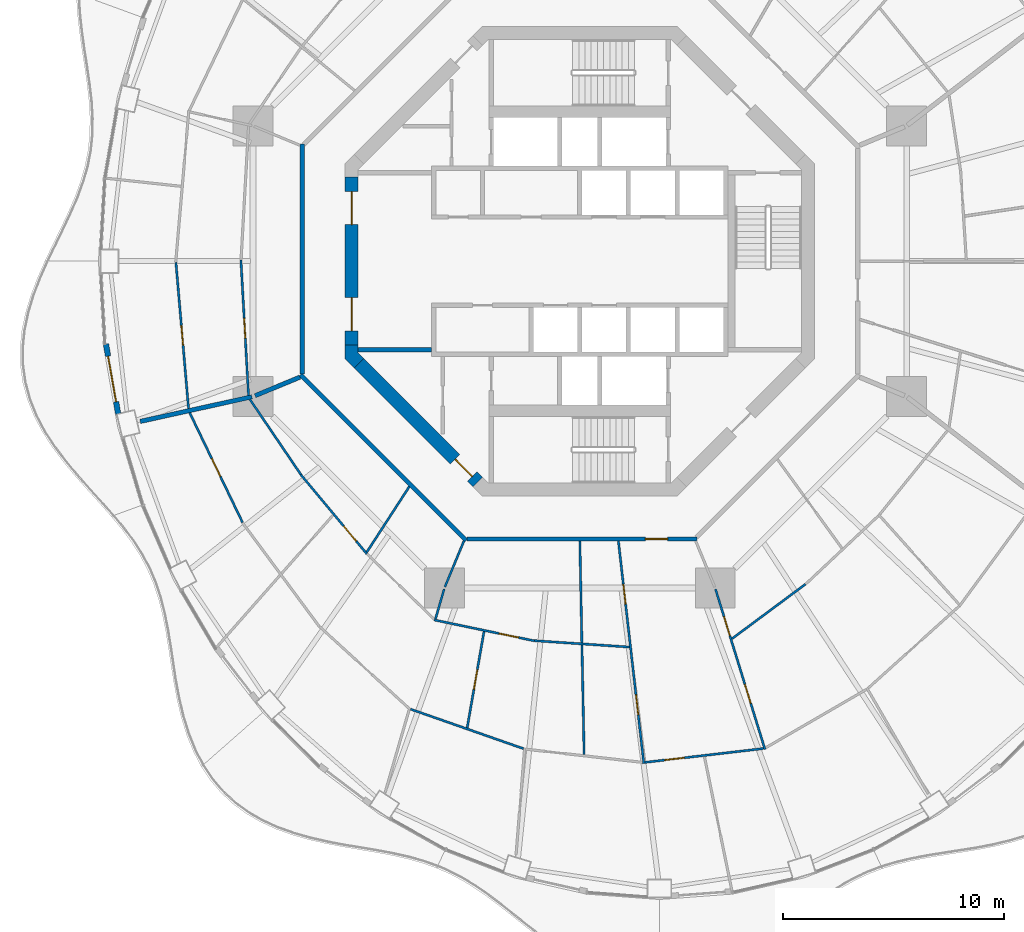
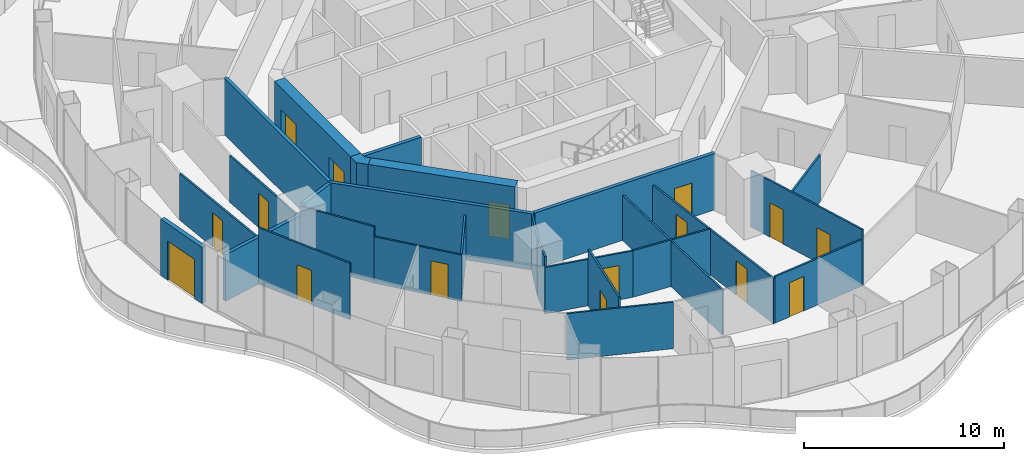
# One storey, part 11 of 19: 27 walls, 16 doors, 16 openings.
"""IFC4 building model written with IfcOpenShell, lengths in metres."""

from ifc_helpers import new_model, si_unit, direction, frame, frame_2d, origin, place, context, subcontext, project, spatial, polyline, rectangle, outline, extrude, material, layer, layer_set, type_object, element, fill, save


model = new_model("IFC4")

# Units and contexts
model_context = context("Model", 3, precision=1e-05, world=origin(), true_north=direction((0.0, 1.0)))
body_context = subcontext(model_context, "Body", "Model", "MODEL_VIEW")
ifc_project = project(units=[si_unit("LENGTHUNIT", "METRE"), si_unit("AREAUNIT", "SQUARE_METRE"), si_unit("VOLUMEUNIT", "CUBIC_METRE"), si_unit("PLANEANGLEUNIT", "RADIAN"), si_unit("MASSUNIT", "GRAM", prefix="KILO")], contexts=[model_context])

# Site, building, storey
site_placement = place(None, origin())
site = spatial("IfcSite", under=ifc_project, at=site_placement, CompositionType="ELEMENT")
building_placement = place(site_placement, origin())
building = spatial("IfcBuilding", under=site, at=building_placement, Name="Nagisa Residences", CompositionType="ELEMENT")
storey_placement = place(building_placement, frame((0.0, 0.0, 177.0)))
storey = spatial("IfcBuildingStorey", under=building, at=storey_placement, Name="L44", CompositionType="ELEMENT", Elevation=177.0)

# Walls
ifc_material_1 = material(Name="Gypsum board on steel studs", Category="steel")
ifc_layer_1 = layer(ifc_material_1, 0.199951171875)
ifc_layer_set_1 = layer_set([ifc_layer_1], Name="Apartment compartment wall EI60 200")
wall_type_1 = type_object("IfcWallType", Name="Apartment compartment wall EI60 200", PredefinedType="PARTITIONING", material=ifc_layer_set_1)
wall_1_placement = place(storey_placement, frame((-12.6572265625, -5.24267578125, 0.0), z_axis=(0.0, 0.0, 1.0), x_axis=(-0.923859888513, -0.38273085373, 0.0)))
element("IfcWall", 1, at=wall_1_placement, inside=storey, type_object=wall_type_1, Name="wall:L44:u04", PredefinedType="PARTITIONING", context=body_context, shape_type="SweptSolid", body=[
    extrude(rectangle(XDim=2.199462890625, YDim=0.199951171875, at=frame_2d((1.099609375, 0.0))), origin(), (0.0, 0.0, 1.0), 3.43994140625),
])
wall_2_placement = place(storey_placement, frame((-14.830810546875, -6.133544921875, 0.0), z_axis=(0.0, 0.0, 1.0), x_axis=(-0.976568396888, -0.215207263354, 0.0)))
element("IfcWall", 2, at=wall_2_placement, inside=storey, type_object=wall_type_1, Name="wall:L44:u05", PredefinedType="PARTITIONING", context=body_context, shape_type="SweptSolid", body=[
    extrude(rectangle(XDim=5.176513671875, YDim=0.199951171875, at=frame_2d((2.58837890625, 0.0))), origin(), (0.0, 0.0, 1.0), 2.8369140625),
])
ifc_material_2 = material(Name="Gypsum board on steel studs", Category="steel")
ifc_layer_2 = layer(ifc_material_2, 0.199951171875)
ifc_layer_set_2 = layer_set([ifc_layer_2], Name="Apartment entry wall EI60 200")
wall_type_2 = type_object("IfcWallType", Name="Apartment entry wall EI60 200", PredefinedType="PARTITIONING", material=ifc_layer_set_2)
wall_3_placement = place(storey_placement, frame((-12.564697265625, 5.304443359375, 0.0), z_axis=(0.0, 0.0, 1.0), x_axis=(0.0, -1.0, 0.0)))
element("IfcWall", 3, at=wall_3_placement, inside=storey, type_object=wall_type_2, Name="wall:L44:u12", PredefinedType="PARTITIONING", context=body_context, shape_type="SweptSolid", body=[
    extrude(rectangle(XDim=10.408935546875, YDim=0.199951171875, at=frame_2d((5.20458984375, 0.0))), origin(), (0.0, 0.0, 1.0), 3.43994140625),
])
wall_4_placement = place(storey_placement, frame((-12.635498046875, -5.1337890625, 0.0), z_axis=(0.0, 0.0, 1.0), x_axis=(0.707106781187, -0.707106781187, 0.0)))
element("IfcWall", 4, at=wall_4_placement, inside=storey, type_object=wall_type_2, Name="wall:L44:u13", PredefinedType="PARTITIONING", context=body_context, shape_type="SweptSolid", body=[
    extrude(rectangle(XDim=10.609130859375, YDim=0.199951171875, at=frame_2d((5.3046875, 0.0))), origin(), (0.0, 0.0, 1.0), 3.43994140625),
])

# Wall, opening, door
wall_5_placement = place(storey_placement, frame((-5.1044921875, -12.564697265625, 0.0), z_axis=(0.0, 0.0, 1.0), x_axis=(1.0, 0.0, 0.0)))
wall_5 = element("IfcWall", 5, at=wall_5_placement, inside=storey, type_object=wall_type_2, Name="wall:L44:u14", PredefinedType="PARTITIONING", context=body_context, shape_type="SweptSolid", body=[
    extrude(rectangle(XDim=10.408935546875, YDim=0.199951171875, at=frame_2d((5.20458984375, 0.0))), origin(), (0.0, 0.0, 1.0), 3.43994140625),
])
opening_1_placement = place(wall_5_placement, frame((8.07421875, 0.0, 0.0)))
opening_1 = element("IfcOpeningElement", 6, at=opening_1_placement, cuts=wall_5, Name="Opening L44-U17", PredefinedType="OPENING", context=body_context, shape_type="SweptSolid", body=[
    extrude(rectangle(XDim=1.0, YDim=2.10009765625, at=frame_2d((0.5, 1.050048828125))), frame((0.0, 0.10986328125, 0.0), z_axis=(0.0, -1.0, 0.0), x_axis=(1.0, 0.0, 0.0)), (0.0, 0.0, 1.0), 0.219970703125),
])
ifc_material_3 = material(Name="Timber fire door set", Category="wood")
door_type_1 = type_object("IfcDoorType", Name="Apartment entry door FD30S 1000x2100", OperationType="NOTDEFINED", PredefinedType="DOOR", material=ifc_material_3)
door_1_placement = place(opening_1_placement, frame((1.0, 0.0, 0.0), x_axis=(-1.0, 0.0, 0.0)))
door_1 = element("IfcDoor", 7, at=door_1_placement, inside=storey, type_object=door_type_1, Name="Entry door, Apartment 44B", OperationType="SINGLE_SWING_RIGHT", OverallHeight=2.10009765625, OverallWidth=1.0, PredefinedType="DOOR", context=body_context, shape_type="SweptSolid", body=[
    extrude(rectangle(XDim=1.0, YDim=2.10009765625, at=frame_2d((0.5, 1.050048828125))), frame((0.0, 0.02490234375, 0.0), z_axis=(0.0, -1.0, 0.0), x_axis=(1.0, 0.0, 0.0)), (0.0, 0.0, 1.0), 0.050048828125),
])
fill(opening_1, door_1)

ifc_material_4 = material(Name="Gypsum board on steel studs", Category="steel")
ifc_layer_3 = layer(ifc_material_4, 0.10009765625)
ifc_layer_set_3 = layer_set([ifc_layer_3], Name="Apartment partition 100")
wall_type_3 = type_object("IfcWallType", Name="Apartment partition 100", PredefinedType="PARTITIONING", material=ifc_layer_set_3)
wall_6_placement = place(storey_placement, frame((-15.33056640625, 0.0498046875, 0.0), z_axis=(0.0, 0.0, 1.0), x_axis=(0.056310939406, -0.998413280212, 0.0)))
wall_6 = element("IfcWall", 8, at=wall_6_placement, inside=storey, type_object=wall_type_3, Name="wall:L44:u54", PredefinedType="PARTITIONING", context=body_context, shape_type="SweptSolid", body=[
    extrude(rectangle(XDim=6.126220703125, YDim=0.10009765625, at=frame_2d((3.06298828125, 0.0))), origin(), (0.0, 0.0, 1.0), 2.8369140625),
])
opening_2_placement = place(wall_6_placement, frame((2.63818359375, 0.0, 0.0)))
opening_2 = element("IfcOpeningElement", 9, at=opening_2_placement, cuts=wall_6, Name="Opening L44-U16", PredefinedType="OPENING", context=body_context, shape_type="SweptSolid", body=[
    extrude(rectangle(XDim=0.89990234375, YDim=2.10009765625, at=frame_2d((0.449951171875, 1.050048828125))), frame((0.0, 0.06005859375, 0.0), z_axis=(0.0, -1.0, 0.0), x_axis=(1.0, 0.0, 0.0)), (0.0, 0.0, 1.0), 0.1201171875),
])
ifc_material_5 = material(Name="Timber door set", Category="wood")
door_type_2 = type_object("IfcDoorType", Name="Apartment door 900x2100", OperationType="NOTDEFINED", PredefinedType="DOOR", material=ifc_material_5)
door_2_placement = place(opening_2_placement, origin())
door_2 = element("IfcDoor", 10, at=door_2_placement, inside=storey, type_object=door_type_2, Name="Door to laundry, Apartment 44A", OperationType="SINGLE_SWING_RIGHT", OverallHeight=2.10009765625, OverallWidth=0.89990234375, PredefinedType="DOOR", context=body_context, shape_type="SweptSolid", body=[
    extrude(rectangle(XDim=0.89990234375, YDim=2.10009765625, at=frame_2d((0.449951171875, 1.050048828125))), frame((0.0, 0.02490234375, 0.0), z_axis=(0.0, -1.0, 0.0), x_axis=(1.0, 0.0, 0.0)), (0.0, 0.0, 1.0), 0.050048828125),
])
fill(opening_2, door_2)

wall_7_placement = place(storey_placement, frame((-18.270751953125, -0.0498046875, 0.0), z_axis=(0.0, 0.0, 1.0), x_axis=(0.086012321907, -0.996294073294, 0.0)))
wall_7 = element("IfcWall", 11, at=wall_7_placement, inside=storey, type_object=wall_type_3, Name="wall:L44:u55", PredefinedType="PARTITIONING", context=body_context, shape_type="SweptSolid", body=[
    extrude(rectangle(XDim=6.63916015625, YDim=0.10009765625, at=frame_2d((3.319580078125, 0.0))), origin(), (0.0, 0.0, 1.0), 2.8369140625),
])
opening_3_placement = place(wall_7_placement, frame((2.86962890625, 0.0, 0.0)))
opening_3 = element("IfcOpeningElement", 12, at=opening_3_placement, cuts=wall_7, Name="Opening L44-U13", PredefinedType="OPENING", context=body_context, shape_type="SweptSolid", body=[
    extrude(rectangle(XDim=0.89990234375, YDim=2.10009765625, at=frame_2d((0.449951171875, 1.050048828125))), frame((0.0, 0.06005859375, 0.0), z_axis=(0.0, -1.0, 0.0), x_axis=(1.0, 0.0, 0.0)), (0.0, 0.0, 1.0), 0.1201171875),
])
door_3_placement = place(opening_3_placement, frame((0.89990234375, 0.0, 0.0), x_axis=(-1.0, 0.0, 0.0)))
door_3 = element("IfcDoor", 13, at=door_3_placement, inside=storey, type_object=door_type_2, Name="Door to bedroom, Apartment 44A", OperationType="SINGLE_SWING_RIGHT", OverallHeight=2.10009765625, OverallWidth=0.89990234375, PredefinedType="DOOR", context=body_context, shape_type="SweptSolid", body=[
    extrude(rectangle(XDim=0.89990234375, YDim=2.10009765625, at=frame_2d((0.449951171875, 1.050048828125))), frame((0.0, 0.02490234375, 0.0), z_axis=(0.0, -1.0, 0.0), x_axis=(1.0, 0.0, 0.0)), (0.0, 0.0, 1.0), 0.050048828125),
])
fill(opening_3, door_3)

# Wall
wall_8_placement = place(storey_placement, frame((-14.923828125, -6.249267578125, 0.0), z_axis=(0.0, 0.0, 1.0), x_axis=(0.561046521684, -0.82778427172, 0.0)))
element("IfcWall", 14, at=wall_8_placement, inside=storey, type_object=wall_type_3, Name="wall:L44:u56", PredefinedType="PARTITIONING", context=body_context, shape_type="SweptSolid", body=[
    extrude(rectangle(XDim=4.108642578125, YDim=0.10009765625, at=frame_2d((2.05419921875, 0.0))), origin(), (0.0, 0.0, 1.0), 3.43994140625),
])

# Wall, opening, door
wall_9_placement = place(storey_placement, frame((-17.6474609375, -6.85400390625, 0.0), z_axis=(0.0, 0.0, 1.0), x_axis=(0.434027506504, -0.900899619046, 0.0)))
wall_9 = element("IfcWall", 15, at=wall_9_placement, inside=storey, type_object=wall_type_3, Name="wall:L44:u57", PredefinedType="PARTITIONING", context=body_context, shape_type="SweptSolid", body=[
    extrude(rectangle(XDim=5.508056640625, YDim=0.10009765625, at=frame_2d((2.75390625, 0.0))), origin(), (0.0, 0.0, 1.0), 3.43994140625),
])
opening_4_placement = place(wall_9_placement, frame((2.303955078125, 0.0, 0.0)))
opening_4 = element("IfcOpeningElement", 16, at=opening_4_placement, cuts=wall_9, Name="Opening L44-U35", PredefinedType="OPENING", context=body_context, shape_type="SweptSolid", body=[
    extrude(rectangle(XDim=0.89990234375, YDim=2.10009765625, at=frame_2d((0.449951171875, 1.050048828125))), frame((0.0, 0.06005859375, 0.0), z_axis=(0.0, -1.0, 0.0), x_axis=(1.0, 0.0, 0.0)), (0.0, 0.0, 1.0), 0.1201171875),
])
door_4_placement = place(opening_4_placement, frame((0.89990234375, 0.0, 0.0), x_axis=(-1.0, 0.0, 0.0)))
door_4 = element("IfcDoor", 17, at=door_4_placement, inside=storey, type_object=door_type_2, Name="Door to bedroom, Apartment 44B", OperationType="SINGLE_SWING_RIGHT", OverallHeight=2.10009765625, OverallWidth=0.89990234375, PredefinedType="DOOR", context=body_context, shape_type="SweptSolid", body=[
    extrude(rectangle(XDim=0.89990234375, YDim=2.10009765625, at=frame_2d((0.449951171875, 1.050048828125))), frame((0.0, 0.02490234375, 0.0), z_axis=(0.0, -1.0, 0.0), x_axis=(1.0, 0.0, 0.0)), (0.0, 0.0, 1.0), 0.050048828125),
])
fill(opening_4, door_4)

wall_10_placement = place(storey_placement, frame((-12.62255859375, -9.6533203125, 0.0), z_axis=(0.0, 0.0, 1.0), x_axis=(0.640297481347, -0.768127030758, 0.0)))
wall_10 = element("IfcWall", 18, at=wall_10_placement, inside=storey, type_object=wall_type_3, Name="wall:L44:u58", PredefinedType="PARTITIONING", context=body_context, shape_type="SweptSolid", body=[
    extrude(rectangle(XDim=4.671630859375, YDim=0.10009765625, at=frame_2d((2.3359375, 0.0))), origin(), (0.0, 0.0, 1.0), 2.8369140625),
])
opening_5_placement = place(wall_10_placement, frame((3.028564453125, 0.0, 0.0)))
opening_5 = element("IfcOpeningElement", 19, at=opening_5_placement, cuts=wall_10, Name="Opening L44-U32", PredefinedType="OPENING", context=body_context, shape_type="SweptSolid", body=[
    extrude(rectangle(XDim=0.89990234375, YDim=2.10009765625, at=frame_2d((0.449951171875, 1.050048828125))), frame((0.0, 0.06005859375, 0.0), z_axis=(0.0, -1.0, 0.0), x_axis=(1.0, 0.0, 0.0)), (0.0, 0.0, 1.0), 0.1201171875),
])
door_5_placement = place(opening_5_placement, origin())
door_5 = element("IfcDoor", 20, at=door_5_placement, inside=storey, type_object=door_type_2, Name="Door to store, Apartment 44B", OperationType="SINGLE_SWING_RIGHT", OverallHeight=2.10009765625, OverallWidth=0.89990234375, PredefinedType="DOOR", context=body_context, shape_type="SweptSolid", body=[
    extrude(rectangle(XDim=0.89990234375, YDim=2.10009765625, at=frame_2d((0.449951171875, 1.050048828125))), frame((0.0, 0.02490234375, 0.0), z_axis=(0.0, -1.0, 0.0), x_axis=(1.0, 0.0, 0.0)), (0.0, 0.0, 1.0), 0.050048828125),
])
fill(opening_5, door_5)

# Walls
wall_11_placement = place(storey_placement, frame((-7.71240234375, -10.1953125, 0.0), z_axis=(0.0, 0.0, 1.0), x_axis=(-0.544170086001, -0.838974920663, 0.0)))
element("IfcWall", 21, at=wall_11_placement, inside=storey, type_object=wall_type_3, Name="wall:L44:u61", PredefinedType="PARTITIONING", context=body_context, shape_type="SweptSolid", body=[
    extrude(rectangle(XDim=3.535400390625, YDim=0.10009765625, at=frame_2d((1.767578125, 0.0))), origin(), (0.0, 0.0, 1.0), 2.756103515625),
])
wall_12_placement = place(storey_placement, frame((-5.24267578125, -12.6572265625, 0.0), z_axis=(0.0, 0.0, 1.0), x_axis=(-0.382719158442, -0.923864733477, 0.0)))
element("IfcWall", 22, at=wall_12_placement, inside=storey, type_object=wall_type_3, Name="wall:L44:u64", PredefinedType="PARTITIONING", context=body_context, shape_type="SweptSolid", body=[
    extrude(rectangle(XDim=2.25, YDim=0.10009765625, at=frame_2d((1.125, 0.0))), origin(), (0.0, 0.0, 1.0), 3.43994140625),
])
wall_13_placement = place(storey_placement, frame((-6.136962890625, -14.83056640625, 0.0), z_axis=(0.0, 0.0, 1.0), x_axis=(-0.2785069197, -0.960434222464, 0.0)))
element("IfcWall", 23, at=wall_13_placement, inside=storey, type_object=wall_type_3, Name="wall:L44:u65", PredefinedType="PARTITIONING", context=body_context, shape_type="SweptSolid", body=[
    extrude(rectangle(XDim=1.4130859375, YDim=0.10009765625, at=frame_2d((0.70654296875, 0.0))), origin(), (0.0, 0.0, 1.0), 3.43994140625),
])

# Wall, opening, door
wall_14_placement = place(storey_placement, frame((-6.593505859375, -16.2255859375, 0.0), z_axis=(0.0, 0.0, 1.0), x_axis=(0.978899284405, -0.204343316484, 0.0)))
wall_14 = element("IfcWall", 24, at=wall_14_placement, inside=storey, type_object=wall_type_3, Name="wall:L44:u66", PredefinedType="PARTITIONING", context=body_context, shape_type="SweptSolid", body=[
    extrude(rectangle(XDim=4.6357421875, YDim=0.10009765625, at=frame_2d((2.31787109375, 0.0))), origin(), (0.0, 0.0, 1.0), 2.8369140625),
])
opening_6_placement = place(wall_14_placement, frame((3.001708984375, 0.0, 0.0)))
opening_6 = element("IfcOpeningElement", 25, at=opening_6_placement, cuts=wall_14, Name="Opening L44-U29", PredefinedType="OPENING", context=body_context, shape_type="SweptSolid", body=[
    extrude(rectangle(XDim=0.89990234375, YDim=2.10009765625, at=frame_2d((0.449951171875, 1.050048828125))), frame((0.0, 0.06005859375, 0.0), z_axis=(0.0, -1.0, 0.0), x_axis=(1.0, 0.0, 0.0)), (0.0, 0.0, 1.0), 0.1201171875),
])
door_6_placement = place(opening_6_placement, origin())
door_6 = element("IfcDoor", 26, at=door_6_placement, inside=storey, type_object=door_type_2, Name="Door to store, Apartment 44B", OperationType="SINGLE_SWING_LEFT", OverallHeight=2.10009765625, OverallWidth=0.89990234375, PredefinedType="DOOR", context=body_context, shape_type="SweptSolid", body=[
    extrude(rectangle(XDim=0.89990234375, YDim=2.10009765625, at=frame_2d((0.449951171875, 1.050048828125))), frame((0.0, 0.02490234375, 0.0), z_axis=(0.0, -1.0, 0.0), x_axis=(1.0, 0.0, 0.0)), (0.0, 0.0, 1.0), 0.050048828125),
])
fill(opening_6, door_6)

# Wall
wall_15_placement = place(storey_placement, frame((-7.659912109375, -20.26171875, 0.0), z_axis=(0.0, 0.0, 1.0), x_axis=(0.943911038661, -0.330199865375, 0.0)))
element("IfcWall", 27, at=wall_15_placement, inside=storey, type_object=wall_type_3, Name="wall:L44:u68", PredefinedType="PARTITIONING", context=body_context, shape_type="SweptSolid", body=[
    extrude(rectangle(XDim=5.41748046875, YDim=0.10009765625, at=frame_2d((2.708740234375, 0.0))), origin(), (0.0, 0.0, 1.0), 2.8369140625),
])

# Wall, opening, door
wall_16_placement = place(storey_placement, frame((-4.333251953125, -16.74853515625, 0.0), z_axis=(0.0, 0.0, 1.0), x_axis=(-0.172053721569, -0.985087568135, 0.0)))
wall_16 = element("IfcWall", 28, at=wall_16_placement, inside=storey, type_object=wall_type_3, Name="wall:L44:u69", PredefinedType="PARTITIONING", context=body_context, shape_type="SweptSolid", body=[
    extrude(rectangle(XDim=4.42431640625, YDim=0.10009765625, at=frame_2d((2.212158203125, 0.0))), origin(), (0.0, 0.0, 1.0), 3.43994140625),
])
opening_7_placement = place(wall_16_placement, frame((1.76220703125, 0.0, 0.0)))
opening_7 = element("IfcOpeningElement", 29, at=opening_7_placement, cuts=wall_16, Name="Opening L44-U30", PredefinedType="OPENING", context=body_context, shape_type="SweptSolid", body=[
    extrude(rectangle(XDim=0.89990234375, YDim=2.10009765625, at=frame_2d((0.449951171875, 1.050048828125))), frame((0.0, 0.06005859375, 0.0), z_axis=(0.0, -1.0, 0.0), x_axis=(1.0, 0.0, 0.0)), (0.0, 0.0, 1.0), 0.1201171875),
])
door_7_placement = place(opening_7_placement, frame((0.89990234375, 0.0, 0.0), x_axis=(-1.0, 0.0, 0.0)))
door_7 = element("IfcDoor", 30, at=door_7_placement, inside=storey, type_object=door_type_2, Name="Door to kitchen, Apartment 44B", OperationType="SINGLE_SWING_LEFT", OverallHeight=2.10009765625, OverallWidth=0.89990234375, PredefinedType="DOOR", context=body_context, shape_type="SweptSolid", body=[
    extrude(rectangle(XDim=0.89990234375, YDim=2.10009765625, at=frame_2d((0.449951171875, 1.050048828125))), frame((0.0, 0.02490234375, 0.0), z_axis=(0.0, -1.0, 0.0), x_axis=(1.0, 0.0, 0.0)), (0.0, 0.0, 1.0), 0.050048828125),
])
fill(opening_7, door_7)

# Walls
wall_17_placement = place(storey_placement, frame((-2.0546875, -17.166015625, 0.0), z_axis=(0.0, 0.0, 1.0), x_axis=(0.997754717554, -0.066974051687, 0.0)))
element("IfcWall", 31, at=wall_17_placement, inside=storey, type_object=wall_type_3, Name="wall:L44:u70", PredefinedType="PARTITIONING", context=body_context, shape_type="SweptSolid", body=[
    extrude(rectangle(XDim=4.308837890625, YDim=0.10009765625, at=frame_2d((2.154296875, 0.0))), origin(), (0.0, 0.0, 1.0), 2.8369140625),
])
wall_18_placement = place(storey_placement, frame((0.001953125, -12.664794921875, 0.0), z_axis=(0.0, 0.0, 1.0), x_axis=(0.019992969345, -0.999800120613, 0.0)))
element("IfcWall", 32, at=wall_18_placement, inside=storey, type_object=wall_type_3, Name="wall:L44:u73", PredefinedType="PARTITIONING", context=body_context, shape_type="SweptSolid", body=[
    extrude(rectangle(XDim=9.6591796875, YDim=0.10009765625, at=frame_2d((4.82958984375, 0.0))), origin(), (0.0, 0.0, 1.0), 2.756103515625),
])

# Wall, openings, doors
wall_19_placement = place(storey_placement, frame((1.74609375, -12.6640625, 0.0), z_axis=(0.0, 0.0, 1.0), x_axis=(0.113629529561, -0.993523190475, 0.0)))
wall_19 = element("IfcWall", 33, at=wall_19_placement, inside=storey, type_object=wall_type_3, Name="wall:L44:u74", PredefinedType="PARTITIONING", context=body_context, shape_type="SweptSolid", body=[
    extrude(rectangle(XDim=10.12841796875, YDim=0.10009765625, at=frame_2d((5.064208984375, 0.0))), origin(), (0.0, 0.0, 1.0), 2.756103515625),
])
opening_8_placement = place(wall_19_placement, frame((1.96240234375, 0.0, 0.0)))
opening_8 = element("IfcOpeningElement", 34, at=opening_8_placement, cuts=wall_19, Name="Opening L44-U18", PredefinedType="OPENING", context=body_context, shape_type="SweptSolid", body=[
    extrude(rectangle(XDim=0.89990234375, YDim=2.10009765625, at=frame_2d((0.449951171875, 1.050048828125))), frame((0.0, 0.06005859375, 0.0), z_axis=(0.0, -1.0, 0.0), x_axis=(1.0, 0.0, 0.0)), (0.0, 0.0, 1.0), 0.1201171875),
])
opening_9_placement = place(wall_19_placement, frame((7.001708984375, 0.0, 0.0)))
opening_9 = element("IfcOpeningElement", 35, at=opening_9_placement, cuts=wall_19, Name="Opening L44-U21", PredefinedType="OPENING", context=body_context, shape_type="SweptSolid", body=[
    extrude(rectangle(XDim=0.89990234375, YDim=2.10009765625, at=frame_2d((0.449951171875, 1.050048828125))), frame((0.0, 0.06005859375, 0.0), z_axis=(0.0, -1.0, 0.0), x_axis=(1.0, 0.0, 0.0)), (0.0, 0.0, 1.0), 0.1201171875),
])
door_8_placement = place(opening_8_placement, frame((0.89990234375, 0.0, 0.0), x_axis=(-1.0, 0.0, 0.0)))
door_8 = element("IfcDoor", 36, at=door_8_placement, inside=storey, type_object=door_type_2, Name="Door to family bathroom, Apartment 44B", OperationType="SINGLE_SWING_LEFT", OverallHeight=2.10009765625, OverallWidth=0.89990234375, PredefinedType="DOOR", context=body_context, shape_type="SweptSolid", body=[
    extrude(rectangle(XDim=0.89990234375, YDim=2.10009765625, at=frame_2d((0.449951171875, 1.050048828125))), frame((0.0, 0.02490234375, 0.0), z_axis=(0.0, -1.0, 0.0), x_axis=(1.0, 0.0, 0.0)), (0.0, 0.0, 1.0), 0.050048828125),
])
fill(opening_8, door_8)
door_9_placement = place(opening_9_placement, frame((0.89990234375, 0.0, 0.0), x_axis=(-1.0, 0.0, 0.0)))
door_9 = element("IfcDoor", 37, at=door_9_placement, inside=storey, type_object=door_type_2, Name="Door to family bathroom, Apartment 44B", OperationType="SINGLE_SWING_RIGHT", OverallHeight=2.10009765625, OverallWidth=0.89990234375, PredefinedType="DOOR", context=body_context, shape_type="SweptSolid", body=[
    extrude(rectangle(XDim=0.89990234375, YDim=2.10009765625, at=frame_2d((0.449951171875, 1.050048828125))), frame((0.0, 0.02490234375, 0.0), z_axis=(0.0, -1.0, 0.0), x_axis=(1.0, 0.0, 0.0)), (0.0, 0.0, 1.0), 0.050048828125),
])
fill(opening_9, door_9)

# Wall, opening, door
wall_20_placement = place(storey_placement, frame((2.94091796875, -22.67138671875, 0.0), z_axis=(0.0, 0.0, 1.0), x_axis=(0.993245806382, 0.1160291692, 0.0)))
wall_20 = element("IfcWall", 38, at=wall_20_placement, inside=storey, type_object=wall_type_3, Name="wall:L44:u75", PredefinedType="PARTITIONING", context=body_context, shape_type="SweptSolid", body=[
    extrude(rectangle(XDim=5.40771484375, YDim=0.10009765625, at=frame_2d((2.703857421875, 0.0))), origin(), (0.0, 0.0, 1.0), 2.8369140625),
])
opening_10_placement = place(wall_20_placement, frame((0.90185546875, 0.0, 0.0)))
opening_10 = element("IfcOpeningElement", 39, at=opening_10_placement, cuts=wall_20, Name="Opening L44-U24", PredefinedType="OPENING", context=body_context, shape_type="SweptSolid", body=[
    extrude(rectangle(XDim=0.89990234375, YDim=2.10009765625, at=frame_2d((0.449951171875, 1.050048828125))), frame((0.0, 0.06005859375, 0.0), z_axis=(0.0, -1.0, 0.0), x_axis=(1.0, 0.0, 0.0)), (0.0, 0.0, 1.0), 0.1201171875),
])
door_10_placement = place(opening_10_placement, frame((0.89990234375, 0.0, 0.0), x_axis=(-1.0, 0.0, 0.0)))
door_10 = element("IfcDoor", 40, at=door_10_placement, inside=storey, type_object=door_type_2, Name="Door to living room, Apartment 44B", OperationType="SINGLE_SWING_LEFT", OverallHeight=2.10009765625, OverallWidth=0.89990234375, PredefinedType="DOOR", context=body_context, shape_type="SweptSolid", body=[
    extrude(rectangle(XDim=0.89990234375, YDim=2.10009765625, at=frame_2d((0.449951171875, 1.050048828125))), frame((0.0, 0.02490234375, 0.0), z_axis=(0.0, -1.0, 0.0), x_axis=(1.0, 0.0, 0.0)), (0.0, 0.0, 1.0), 0.050048828125),
])
fill(opening_10, door_10)

# Wall, openings, doors
wall_21_placement = place(storey_placement, frame((6.1376953125, -14.829833984375, 0.0), z_axis=(0.0, 0.0, 1.0), x_axis=(0.294822274121, -0.955552105687, 0.0)))
wall_21 = element("IfcWall", 41, at=wall_21_placement, inside=storey, type_object=wall_type_3, Name="wall:L44:u78", PredefinedType="PARTITIONING", context=body_context, shape_type="SweptSolid", body=[
    extrude(rectangle(XDim=7.593505859375, YDim=0.10009765625, at=frame_2d((3.796875, 0.0))), origin(), (0.0, 0.0, 1.0), 3.43994140625),
])
opening_11_placement = place(wall_21_placement, frame((1.3056640625, 0.0, 0.0)))
opening_11 = element("IfcOpeningElement", 42, at=opening_11_placement, cuts=wall_21, Name="Opening L44-U19", PredefinedType="OPENING", context=body_context, shape_type="SweptSolid", body=[
    extrude(rectangle(XDim=0.89990234375, YDim=2.10009765625, at=frame_2d((0.449951171875, 1.050048828125))), frame((0.0, 0.06005859375, 0.0), z_axis=(0.0, -1.0, 0.0), x_axis=(1.0, 0.0, 0.0)), (0.0, 0.0, 1.0), 0.1201171875),
])
opening_12_placement = place(wall_21_placement, frame((4.5146484375, 0.0, 0.0)))
opening_12 = element("IfcOpeningElement", 43, at=opening_12_placement, cuts=wall_21, Name="Opening L44-U22", PredefinedType="OPENING", context=body_context, shape_type="SweptSolid", body=[
    extrude(rectangle(XDim=0.89990234375, YDim=2.10009765625, at=frame_2d((0.449951171875, 1.050048828125))), frame((0.0, 0.06005859375, 0.0), z_axis=(0.0, -1.0, 0.0), x_axis=(1.0, 0.0, 0.0)), (0.0, 0.0, 1.0), 0.1201171875),
])
door_11_placement = place(opening_11_placement, origin())
door_11 = element("IfcDoor", 44, at=door_11_placement, inside=storey, type_object=door_type_2, Name="Door to laundry, Apartment 44B", OperationType="SINGLE_SWING_LEFT", OverallHeight=2.10009765625, OverallWidth=0.89990234375, PredefinedType="DOOR", context=body_context, shape_type="SweptSolid", body=[
    extrude(rectangle(XDim=0.89990234375, YDim=2.10009765625, at=frame_2d((0.449951171875, 1.050048828125))), frame((0.0, 0.02490234375, 0.0), z_axis=(0.0, -1.0, 0.0), x_axis=(1.0, 0.0, 0.0)), (0.0, 0.0, 1.0), 0.050048828125),
])
fill(opening_11, door_11)
door_12_placement = place(opening_12_placement, origin())
door_12 = element("IfcDoor", 45, at=door_12_placement, inside=storey, type_object=door_type_2, Name="Door to dining room, Apartment 44B", OperationType="SINGLE_SWING_RIGHT", OverallHeight=2.10009765625, OverallWidth=0.89990234375, PredefinedType="DOOR", context=body_context, shape_type="SweptSolid", body=[
    extrude(rectangle(XDim=0.89990234375, YDim=2.10009765625, at=frame_2d((0.449951171875, 1.050048828125))), frame((0.0, 0.02490234375, 0.0), z_axis=(0.0, -1.0, 0.0), x_axis=(1.0, 0.0, 0.0)), (0.0, 0.0, 1.0), 0.050048828125),
])
fill(opening_12, door_12)

# Wall
wall_22_placement = place(storey_placement, frame((6.881103515625, -17.07958984375, 0.0), z_axis=(0.0, 0.0, 1.0), x_axis=(0.802784956441, 0.596268659005, 0.0)))
element("IfcWall", 46, at=wall_22_placement, inside=storey, type_object=wall_type_3, Name="wall:L44:u79", PredefinedType="PARTITIONING", context=body_context, shape_type="SweptSolid", body=[
    extrude(rectangle(XDim=4.142333984375, YDim=0.10009765625, at=frame_2d((2.0712890625, 0.0))), origin(), (0.0, 0.0, 1.0), 2.8369140625),
])

# Wall, opening, door
ifc_material_6 = material(Name="Precast concrete C40/50", Category="concrete")
ifc_layer_4 = layer(ifc_material_6, 0.25)
ifc_layer_set_4 = layer_set([ifc_layer_4], Name="BALCONY DOOR WALL 250")
wall_type_4 = type_object("IfcWallType", Name="BALCONY DOOR WALL 250", PredefinedType="SOLIDWALL", material=ifc_layer_set_4)
wall_23_placement = place(storey_placement, frame((-20.8818359375, -6.91015625, 0.0), z_axis=(0.0, 0.0, 1.0), x_axis=(-0.172223552479, 0.98505789067, 0.0)))
wall_23 = element("IfcWall", 47, at=wall_23_placement, inside=storey, type_object=wall_type_4, Name="wall:L44:bay25", PredefinedType="SOLIDWALL", context=body_context, shape_type="SweptSolid", body=[
    extrude(rectangle(XDim=3.2109375, YDim=0.25, at=frame_2d((1.60546875, 0.0))), origin(), (0.0, 0.0, 1.0), 3.43994140625),
])
opening_13_placement = place(wall_23_placement, frame((0.555419921875, 0.0, 0.0)))
opening_13 = element("IfcOpeningElement", 48, at=opening_13_placement, cuts=wall_23, Name="Opening BD-L44-09", PredefinedType="OPENING", context=body_context, shape_type="SweptSolid", body=[
    extrude(rectangle(XDim=2.10009765625, YDim=2.39990234375, at=frame_2d((1.050048828125, 1.199951171875))), frame((0.0, 0.135009765625, 0.0), z_axis=(0.0, -1.0, 0.0), x_axis=(1.0, 0.0, 0.0)), (0.0, 0.0, 1.0), 0.27001953125),
])
ifc_material_7 = material(Name="Aluminium and clear glass", Category="aluminium")
door_type_3 = type_object("IfcDoorType", Name="BALCONY SLIDING DOOR 2100x2400", OperationType="SLIDING_TO_LEFT", PredefinedType="DOOR", material=ifc_material_7)
door_13_placement = place(opening_13_placement, origin())
door_13 = element("IfcDoor", 49, at=door_13_placement, inside=storey, type_object=door_type_3, Name="door:L44:bay25", OperationType="SLIDING_TO_LEFT", OverallHeight=2.39990234375, OverallWidth=2.10009765625, PredefinedType="DOOR", context=body_context, shape_type="SweptSolid", body=[
    extrude(rectangle(XDim=2.10009765625, YDim=2.39990234375, at=frame_2d((1.050048828125, 1.199951171875))), frame((0.0, 0.02490234375, 0.0), z_axis=(0.0, -1.0, 0.0), x_axis=(1.0, 0.0, 0.0)), (0.0, 0.0, 1.0), 0.050048828125),
])
fill(opening_13, door_13)

# Wall
ifc_material_8 = material(Name="Gypsum board on steel studs", Category="steel")
ifc_layer_5 = layer(ifc_material_8, 0.199951171875)
ifc_layer_set_5 = layer_set([ifc_layer_5], Name="Core partition 200")
wall_type_5 = type_object("IfcWallType", Name="Core partition 200", PredefinedType="PARTITIONING", material=ifc_layer_set_5)
wall_24_placement = place(storey_placement, frame((-10.024658203125, -4.0, 0.0), z_axis=(0.0, 0.0, 1.0), x_axis=(1.0, 0.0, 0.0)))
element("IfcWall", 50, at=wall_24_placement, inside=storey, type_object=wall_type_5, Name="wall:L44:PSW", PredefinedType="PARTITIONING", context=body_context, shape_type="SweptSolid", body=[
    extrude(rectangle(XDim=3.32470703125, YDim=0.199951171875, at=frame_2d((1.662353515625, 0.0))), origin(), (0.0, 0.0, 1.0), 3.43994140625),
])

# Wall, openings, doors
ifc_material_9 = material(Name="Concrete C60", Category="concrete")
ifc_layer_6 = layer(ifc_material_9, 0.60009765625)
ifc_layer_set_6 = layer_set([ifc_layer_6], Name="Core shear wall 600")
wall_type_6 = type_object("IfcWallType", Name="Core shear wall 600", PredefinedType="SHEAR", material=ifc_layer_set_6)
wall_25_placement = place(storey_placement, frame((-10.32470703125, 3.80078125, 0.0), z_axis=(0.0, 0.0, 1.0), x_axis=(0.0, -1.0, 0.0)))
wall_25 = element("IfcWall", 51, at=wall_25_placement, inside=storey, type_object=wall_type_6, Name="wall:L44:core:flat4", PredefinedType="SHEAR", context=body_context, shape_type="SweptSolid", body=[
    extrude(rectangle(XDim=7.6015625, YDim=0.60009765625, at=frame_2d((3.80078125, 0.0))), origin(), (0.0, 0.0, 1.0), 3.43994140625),
])
opening_14_placement = place(wall_25_placement, frame((0.65087890625, 0.0, 0.0)))
opening_14 = element("IfcOpeningElement", 52, at=opening_14_placement, cuts=wall_25, Name="Opening L44-C20", PredefinedType="OPENING", context=body_context, shape_type="SweptSolid", body=[
    extrude(rectangle(XDim=1.5, YDim=2.10009765625, at=frame_2d((0.75, 1.050048828125))), frame((0.0, 0.31005859375, 0.0), z_axis=(0.0, -1.0, 0.0), x_axis=(1.0, 0.0, 0.0)), (0.0, 0.0, 1.0), 0.6201171875),
])
opening_15_placement = place(wall_25_placement, frame((5.450927734375, 0.0, 0.0)))
opening_15 = element("IfcOpeningElement", 53, at=opening_15_placement, cuts=wall_25, Name="Opening L44-C21", PredefinedType="OPENING", context=body_context, shape_type="SweptSolid", body=[
    extrude(rectangle(XDim=1.5, YDim=2.10009765625, at=frame_2d((0.75, 1.050048828125))), frame((0.0, 0.31005859375, 0.0), z_axis=(0.0, -1.0, 0.0), x_axis=(1.0, 0.0, 0.0)), (0.0, 0.0, 1.0), 0.6201171875),
])
ifc_material_10 = material(Name="Steel fire door", Category="steel")
door_type_4 = type_object("IfcDoorType", Name="Fire door EI60 1500x2100 double door single swing", OperationType="DOUBLE_DOOR_SINGLE_SWING", PredefinedType="DOOR", material=ifc_material_10)
door_14_placement = place(opening_14_placement, origin())
door_14 = element("IfcDoor", 54, at=door_14_placement, inside=storey, type_object=door_type_4, Name="Lift lobby door L44 1", OperationType="DOUBLE_DOOR_SINGLE_SWING", OverallHeight=2.10009765625, OverallWidth=1.5, PredefinedType="DOOR", context=body_context, shape_type="SweptSolid", body=[
    extrude(rectangle(XDim=1.5, YDim=2.10009765625, at=frame_2d((0.75, 1.050048828125))), frame((0.0, 0.02490234375, 0.0), z_axis=(0.0, -1.0, 0.0), x_axis=(1.0, 0.0, 0.0)), (0.0, 0.0, 1.0), 0.050048828125),
])
fill(opening_14, door_14)
door_15_placement = place(opening_15_placement, origin())
door_15 = element("IfcDoor", 55, at=door_15_placement, inside=storey, type_object=door_type_4, Name="Lift lobby door L44 2", OperationType="DOUBLE_DOOR_SINGLE_SWING", OverallHeight=2.10009765625, OverallWidth=1.5, PredefinedType="DOOR", context=body_context, shape_type="SweptSolid", body=[
    extrude(rectangle(XDim=1.5, YDim=2.10009765625, at=frame_2d((0.75, 1.050048828125))), frame((0.0, 0.02490234375, 0.0), z_axis=(0.0, -1.0, 0.0), x_axis=(1.0, 0.0, 0.0)), (0.0, 0.0, 1.0), 0.050048828125),
])
fill(opening_15, door_15)

# Wall, opening, door
wall_26_placement = place(storey_placement, frame((-9.98828125, -4.613037109375, 0.0), z_axis=(0.0, 0.0, 1.0), x_axis=(0.707106781187, -0.707106781187, 0.0)))
wall_26 = element("IfcWall", 56, at=wall_26_placement, inside=storey, type_object=wall_type_6, Name="wall:L44:core:flat5", PredefinedType="SHEAR", context=body_context, shape_type="SweptSolid", body=[
    extrude(rectangle(XDim=7.601806640625, YDim=0.60009765625, at=frame_2d((3.80078125, 0.0))), origin(), (0.0, 0.0, 1.0), 3.43994140625),
])
opening_16_placement = place(wall_26_placement, frame((6.15087890625, 0.0, 0.0)))
opening_16 = element("IfcOpeningElement", 57, at=opening_16_placement, cuts=wall_26, Name="Opening L44-C23", PredefinedType="OPENING", context=body_context, shape_type="SweptSolid", body=[
    extrude(rectangle(XDim=1.10009765625, YDim=2.10009765625, at=frame_2d((0.550048828125, 1.050048828125))), frame((0.0, 0.31005859375, 0.0), z_axis=(0.0, -1.0, 0.0), x_axis=(1.0, 0.0, 0.0)), (0.0, 0.0, 1.0), 0.6201171875),
])
ifc_material_11 = material(Name="Steel fire door", Category="steel")
door_type_5 = type_object("IfcDoorType", Name="Fire door EI60 1100x2100 single swing", OperationType="NOTDEFINED", PredefinedType="DOOR", material=ifc_material_11)
door_16_placement = place(opening_16_placement, origin())
door_16 = element("IfcDoor", 58, at=door_16_placement, inside=storey, type_object=door_type_5, Name="Housekeeping lobby door L44", OperationType="SINGLE_SWING_LEFT", OverallHeight=2.10009765625, OverallWidth=1.10009765625, PredefinedType="DOOR", context=body_context, shape_type="SweptSolid", body=[
    extrude(rectangle(XDim=1.10009765625, YDim=2.10009765625, at=frame_2d((0.550048828125, 1.050048828125))), frame((0.0, 0.02490234375, 0.0), z_axis=(0.0, -1.0, 0.0), x_axis=(1.0, 0.0, 0.0)), (0.0, 0.0, 1.0), 0.050048828125),
])
fill(opening_16, door_16)

# Wall
wall_27_placement = place(storey_placement, origin())
element("IfcWall", 59, at=wall_27_placement, inside=storey, type_object=wall_type_6, Name="wall:L44:core:pier4", PredefinedType="SHEAR", context=body_context, shape_type="SweptSolid", body=[
    extrude(outline(polyline([(-10.62451171875, -3.80078125), (-10.024658203125, -3.80078125), (-10.024658203125, -4.15234375), (-9.776123046875, -4.40087890625), (-10.200439453125, -4.8251953125), (-10.62451171875, -4.40087890625), (-10.62451171875, -3.80078125)])), origin(), (0.0, 0.0, 1.0), 3.43994140625),
])

save(model, "model.ifc")
